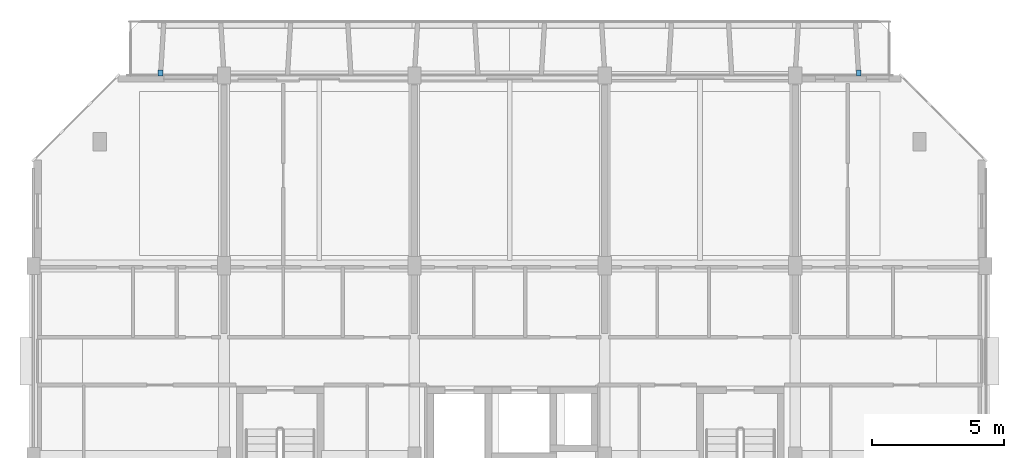
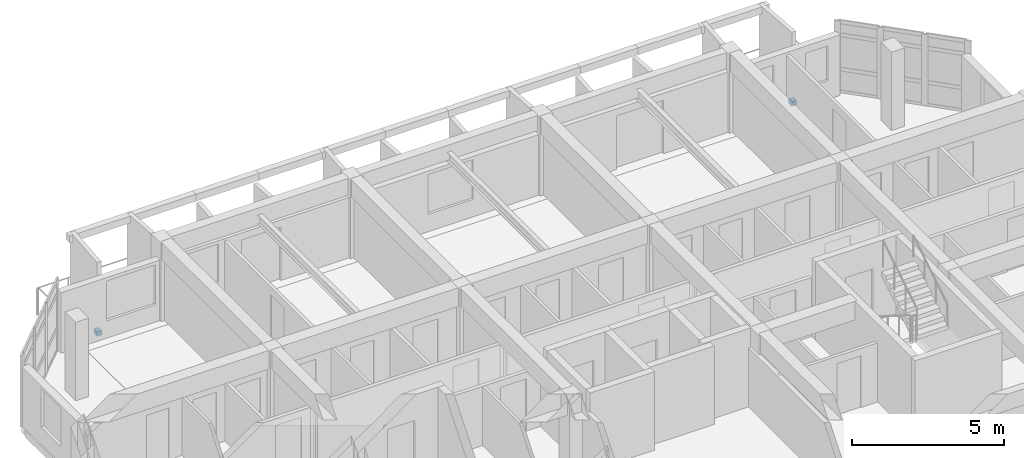
# One storey, part 30 of 43: 2 discrete accessories.
"""IFC4 building model written with IfcOpenShell, lengths in metres."""

from ifc_helpers import new_model, si_unit, direction, frame, origin, origin_2d, place, context, subcontext, project, spatial, rectangle, extrude, material, type_object, element, save


model = new_model("IFC4")

# Units and contexts
model_context = context("Model", 3, precision=1e-05, world=origin(), true_north=direction((0.0, 1.0)))
body_context = subcontext(model_context, "Body", "Model", "MODEL_VIEW")
ifc_project = project(units=[si_unit("LENGTHUNIT", "METRE"), si_unit("AREAUNIT", "SQUARE_METRE"), si_unit("VOLUMEUNIT", "CUBIC_METRE"), si_unit("PLANEANGLEUNIT", "RADIAN"), si_unit("MASSUNIT", "GRAM", prefix="KILO")], contexts=[model_context])

# Site, building, storey
site_placement = place(None, origin())
site = spatial("IfcSite", under=ifc_project, at=site_placement, CompositionType="ELEMENT")
building_placement = place(site_placement, origin())
building = spatial("IfcBuilding", under=site, at=building_placement, Name="Ochrevale Crest", CompositionType="ELEMENT")
storey_placement = place(building_placement, frame((0.0, 0.0, 15.0)))
storey = spatial("IfcBuildingStorey", under=building, at=storey_placement, Name="L04", CompositionType="ELEMENT", Elevation=15.0)

# Discrete accessories
ifc_material = material(Name="Galvanised steel", Category="steel")
discrete_accessory_type = type_object("IfcDiscreteAccessoryType", Name="ACC-BRK-HC", PredefinedType="BRACKET", material=ifc_material)
for number, where, z_axis, x_axis, name in (
    (1, (4.800048828125, 93.699951171875, 0.0), (0.0, 0.0, 1.0), (1.0, 0.0, 0.0), "Block B L04 precast loggia corbel bracket"),
    (2, (31.199951171875, 93.699951171875, 0.0), (0.0, 0.0, 1.0), (1.0, 0.0, 0.0), "Block B L04 precast loggia corbel bracket"),
):
    element("IfcDiscreteAccessory", number, at=place(storey_placement, frame(where, z_axis=z_axis, x_axis=x_axis)), inside=storey, type_object=discrete_accessory_type, Name=name, PredefinedType="BRACKET", context=body_context, shape_type="SweptSolid", body=[
        extrude(rectangle(XDim=0.179931640625, YDim=0.219970703125, at=origin_2d()), origin(), (0.0, 0.0, 1.0), 0.179931640625),
    ])

save(model, "model.ifc")
